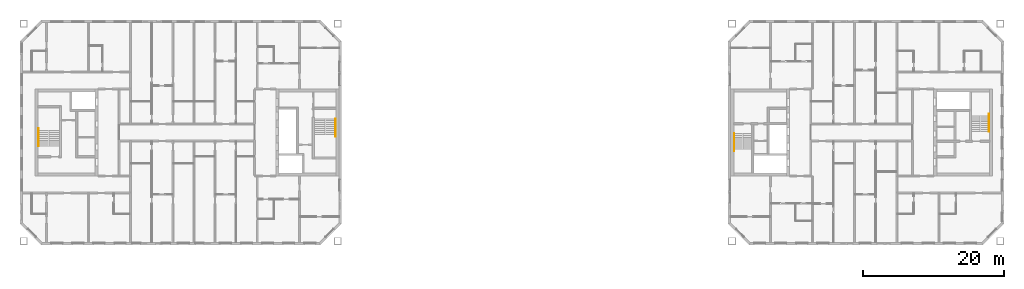
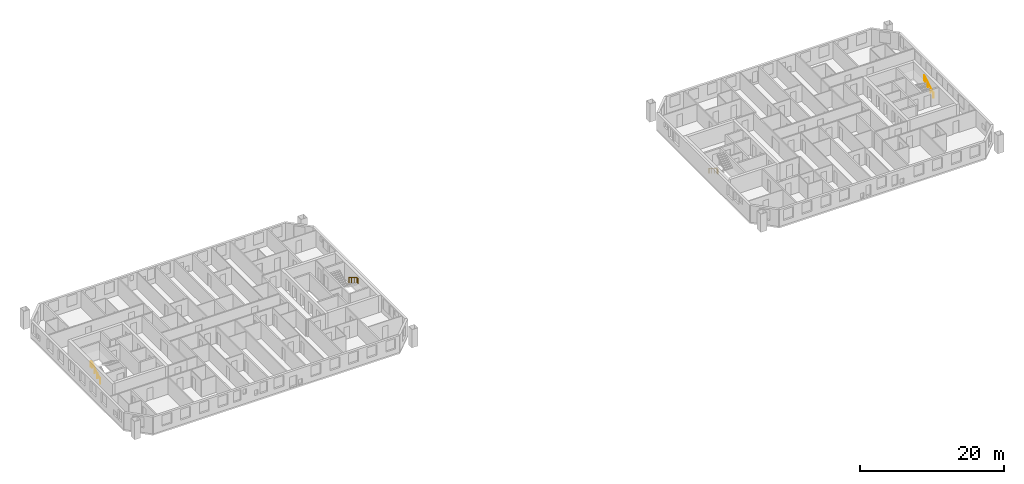
# One storey, part 15 of 15: 4 railings.
"""IFC4 building model written with IfcOpenShell, lengths in metres."""

from ifc_helpers import new_model, si_unit, direction, frame, origin, origin_2d, place, context, subcontext, project, spatial, circle, extrude, material, type_object, element, save


model = new_model("IFC4")

# Units and contexts
model_context = context("Model", 3, precision=1e-05, world=origin(), true_north=direction((0.0, 1.0)))
body_context = subcontext(model_context, "Body", "Model", "MODEL_VIEW")
ifc_project = project(units=[si_unit("LENGTHUNIT", "METRE"), si_unit("AREAUNIT", "SQUARE_METRE"), si_unit("VOLUMEUNIT", "CUBIC_METRE"), si_unit("PLANEANGLEUNIT", "RADIAN"), si_unit("MASSUNIT", "GRAM", prefix="KILO")], contexts=[model_context])

# Site, building, storey
site_placement = place(None, origin())
site = spatial("IfcSite", under=ifc_project, at=site_placement, CompositionType="ELEMENT")
building_placement = place(site_placement, origin())
building = spatial("IfcBuilding", under=site, at=building_placement, Name="Tuart Gate Housing", CompositionType="ELEMENT")
storey_placement = place(building_placement, frame((0.0, 0.0, 188.199951171875)))
storey = spatial("IfcBuildingStorey", under=building, at=storey_placement, Name="L53", CompositionType="ELEMENT", Elevation=188.199951171875)

# Railings
ifc_material = material(Name="Stainless steel", Category="steel")
railing_type = type_object("IfcRailingType", Name="Stair handrail 900", PredefinedType="HANDRAIL", material=ifc_material)
railing_1_placement = place(storey_placement, frame((75.1298828125, 71.949951171875, 0.17236328125)))
element("IfcRailing", 1, at=railing_1_placement, inside=storey, type_object=railing_type, Name="Stair handrail SA1.1", PredefinedType="HANDRAIL", context=body_context, shape_type="SweptSolid", body=[
    extrude(circle(Radius=0.02392578125, at=origin_2d()), frame((0.0, 0.0, 0.8759765625), z_axis=(0.0, -0.85178898068, 0.523885037382), x_axis=(1.0, 0.0, 0.0)), (0.0, 0.0, 1.0), 2.629638671875),
    extrude(circle(Radius=0.02392578125, at=origin_2d()), frame((0.0, -2.239990234375, 2.25341796875), z_axis=(0.0, -1.0, 0.0), x_axis=(1.0, 0.0, 0.0)), (0.0, 0.0, 1.0), 0.300048828125),
    extrude(circle(Radius=0.02099609375, at=origin_2d()), origin(), (0.0, 0.0, 1.0), 0.851806640625),
    extrude(circle(Radius=0.02099609375, at=origin_2d()), frame((0.0, -0.74658203125, 0.459228515625)), (0.0, 0.0, 1.0), 0.851806640625),
    extrude(circle(Radius=0.02099609375, at=origin_2d()), frame((0.0, -1.493408203125, 0.91845703125)), (0.0, 0.0, 1.0), 0.851806640625),
    extrude(circle(Radius=0.02099609375, at=origin_2d()), frame((0.0, -2.239990234375, 1.377685546875)), (0.0, 0.0, 1.0), 0.851806640625),
    extrude(circle(Radius=0.02099609375, at=origin_2d()), frame((0.0, -2.5400390625, 1.377685546875)), (0.0, 0.0, 1.0), 0.851806640625),
])
railing_2_placement = place(storey_placement, frame((32.8701171875, 68.050048828125, 0.17236328125)))
element("IfcRailing", 2, at=railing_2_placement, inside=storey, type_object=railing_type, Name="Stair handrail SA2.1", PredefinedType="HANDRAIL", context=body_context, shape_type="SweptSolid", body=[
    extrude(circle(Radius=0.02392578125, at=origin_2d()), frame((0.0, 0.0, 0.8759765625), z_axis=(0.0, 0.85178898068, 0.523885037382), x_axis=(-1.0, 0.0, 0.0)), (0.0, 0.0, 1.0), 2.629638671875),
    extrude(circle(Radius=0.02392578125, at=origin_2d()), frame((0.0, 2.239990234375, 2.25341796875), z_axis=(0.0, 1.0, 0.0), x_axis=(-1.0, 0.0, 0.0)), (0.0, 0.0, 1.0), 0.300048828125),
    extrude(circle(Radius=0.02099609375, at=origin_2d()), origin(), (0.0, 0.0, 1.0), 0.851806640625),
    extrude(circle(Radius=0.02099609375, at=origin_2d()), frame((0.0, 0.74658203125, 0.459228515625)), (0.0, 0.0, 1.0), 0.851806640625),
    extrude(circle(Radius=0.02099609375, at=origin_2d()), frame((0.0, 1.493408203125, 0.91845703125)), (0.0, 0.0, 1.0), 0.851806640625),
    extrude(circle(Radius=0.02099609375, at=origin_2d()), frame((0.0, 2.239990234375, 1.377685546875)), (0.0, 0.0, 1.0), 0.851806640625),
    extrude(circle(Radius=0.02099609375, at=origin_2d()), frame((0.0, 2.5400390625, 1.377685546875)), (0.0, 0.0, 1.0), 0.851806640625),
])
railing_3_placement = place(storey_placement, frame((131.8701171875, 69.875, 0.17236328125)))
element("IfcRailing", 3, at=railing_3_placement, inside=storey, type_object=railing_type, Name="Stair handrail SB1.1", PredefinedType="HANDRAIL", context=body_context, shape_type="SweptSolid", body=[
    extrude(circle(Radius=0.02392578125, at=origin_2d()), frame((0.0, 0.0, 0.8759765625), z_axis=(0.0, -0.85178898068, 0.523885037382), x_axis=(1.0, 0.0, 0.0)), (0.0, 0.0, 1.0), 2.629638671875),
    extrude(circle(Radius=0.02392578125, at=origin_2d()), frame((0.0, -2.239990234375, 2.25341796875), z_axis=(0.0, -1.0, 0.0), x_axis=(1.0, 0.0, 0.0)), (0.0, 0.0, 1.0), 0.300048828125),
    extrude(circle(Radius=0.02099609375, at=origin_2d()), origin(), (0.0, 0.0, 1.0), 0.851806640625),
    extrude(circle(Radius=0.02099609375, at=origin_2d()), frame((0.0, -0.74658203125, 0.459228515625)), (0.0, 0.0, 1.0), 0.851806640625),
    extrude(circle(Radius=0.02099609375, at=origin_2d()), frame((0.0, -1.493408203125, 0.91845703125)), (0.0, 0.0, 1.0), 0.851806640625),
    extrude(circle(Radius=0.02099609375, at=origin_2d()), frame((0.0, -2.239990234375, 1.377685546875)), (0.0, 0.0, 1.0), 0.851806640625),
    extrude(circle(Radius=0.02099609375, at=origin_2d()), frame((0.0, -2.5400390625, 1.377685546875)), (0.0, 0.0, 1.0), 0.851806640625),
])
railing_4_placement = place(storey_placement, frame((168.1298828125, 70.125, 0.17236328125)))
element("IfcRailing", 4, at=railing_4_placement, inside=storey, type_object=railing_type, Name="Stair handrail SB2.1", PredefinedType="HANDRAIL", context=body_context, shape_type="SweptSolid", body=[
    extrude(circle(Radius=0.02392578125, at=origin_2d()), frame((0.0, 0.0, 0.8759765625), z_axis=(0.0, 0.85178898068, 0.523885037382), x_axis=(-1.0, 0.0, 0.0)), (0.0, 0.0, 1.0), 2.629638671875),
    extrude(circle(Radius=0.02392578125, at=origin_2d()), frame((0.0, 2.239990234375, 2.25341796875), z_axis=(0.0, 1.0, 0.0), x_axis=(-1.0, 0.0, 0.0)), (0.0, 0.0, 1.0), 0.300048828125),
    extrude(circle(Radius=0.02099609375, at=origin_2d()), origin(), (0.0, 0.0, 1.0), 0.851806640625),
    extrude(circle(Radius=0.02099609375, at=origin_2d()), frame((0.0, 0.74658203125, 0.459228515625)), (0.0, 0.0, 1.0), 0.851806640625),
    extrude(circle(Radius=0.02099609375, at=origin_2d()), frame((0.0, 1.493408203125, 0.91845703125)), (0.0, 0.0, 1.0), 0.851806640625),
    extrude(circle(Radius=0.02099609375, at=origin_2d()), frame((0.0, 2.239990234375, 1.377685546875)), (0.0, 0.0, 1.0), 0.851806640625),
    extrude(circle(Radius=0.02099609375, at=origin_2d()), frame((0.0, 2.5400390625, 1.377685546875)), (0.0, 0.0, 1.0), 0.851806640625),
])

save(model, "model.ifc")
